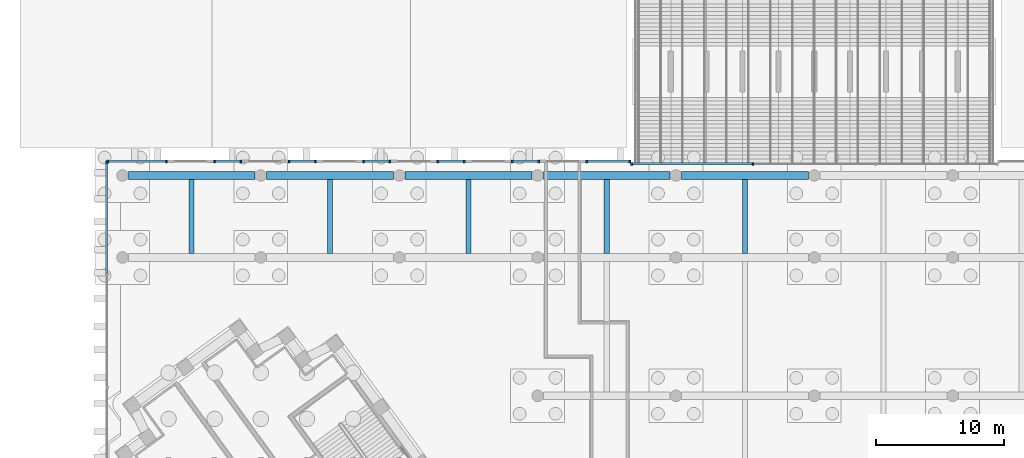
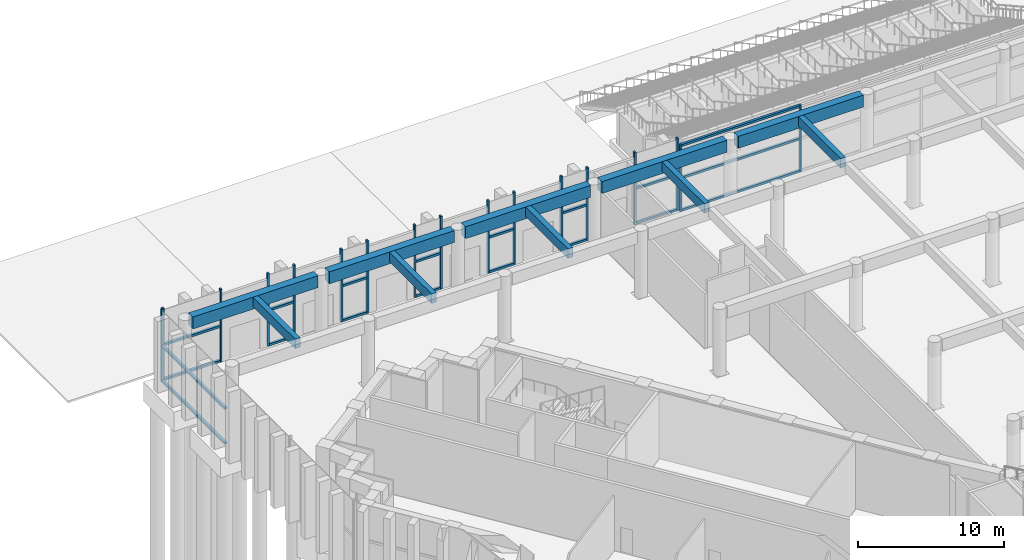
# One storey, part 10 of 32: 36 members, 10 beams, 9 elements without a shape of their own.
"""IFC4 building model written with IfcOpenShell, lengths in metres."""

from ifc_helpers import new_model, si_unit, direction, frame, origin, origin_2d, place, context, subcontext, project, spatial, rectangle, extrude, material, material_profile, profile_set, type_object, element, aggregate, save


model = new_model("IFC4")

# Units and contexts
model_context = context("Model", 3, precision=1e-05, world=origin(), true_north=direction((0.0, 1.0)))
body_context = subcontext(model_context, "Body", "Model", "MODEL_VIEW")
ifc_project = project(units=[si_unit("LENGTHUNIT", "METRE"), si_unit("AREAUNIT", "SQUARE_METRE"), si_unit("VOLUMEUNIT", "CUBIC_METRE"), si_unit("PLANEANGLEUNIT", "RADIAN"), si_unit("MASSUNIT", "GRAM", prefix="KILO")], contexts=[model_context])

# Site, building, storey
site_placement = place(None, origin())
site = spatial("IfcSite", under=ifc_project, at=site_placement, CompositionType="ELEMENT")
building_placement = place(site_placement, origin())
building = spatial("IfcBuilding", under=site, at=building_placement, Name="Quipu Civic Tower", CompositionType="ELEMENT")
storey_placement = place(building_placement, origin())
storey = spatial("IfcBuildingStorey", under=building, at=storey_placement, Name="L00", CompositionType="ELEMENT", Elevation=0.0)

# Beams
ifc_material_1 = material(Name="Concrete C50/60", Category="concrete")
ifc_material_profile_1 = material_profile(ifc_material_1, rectangle(XDim=0.39990234375, YDim=0.800048828125, at=origin_2d()), Name="RC400x800")
ifc_profile_set_1 = profile_set([ifc_material_profile_1], Name="Concrete C50/60")
beam_type_1 = type_object("IfcBeamType", Name="Deck beam RC 400x800 C50/60", PredefinedType="BEAM", material=ifc_profile_set_1)
for number, where, z_axis, x_axis, name in (
    (1, (-48.60009765625, 48.89990234375, 5.199951171875), (0.0, 1.0, 0.0), (-1.0, 0.0, 0.0), "Deck beam -9 49"),
    (2, (-37.800048828125, 48.89990234375, 5.199951171875), (0.0, 1.0, 0.0), (-1.0, 0.0, 0.0), "Deck beam -7 49"),
    (3, (-27.0, 48.89990234375, 5.199951171875), (0.0, 1.0, 0.0), (-1.0, 0.0, 0.0), "Deck beam -5 49"),
    (4, (-16.199951171875, 48.89990234375, 5.199951171875), (0.0, 1.0, 0.0), (-1.0, 0.0, 0.0), "Deck beam -3 49"),
    (5, (-5.39990234375, 48.89990234375, 5.199951171875), (0.0, 1.0, 0.0), (-1.0, 0.0, 0.0), "Deck beam -1 49"),
):
    element("IfcBeam", number, at=place(storey_placement, frame(where, z_axis=z_axis, x_axis=x_axis)), inside=storey, type_object=beam_type_1, Name=name, PredefinedType="BEAM", context=body_context, shape_type="SweptSolid", body=[
        extrude(rectangle(XDim=0.39990234375, YDim=0.800048828125, at=origin_2d()), origin(), (0.0, 0.0, 1.0), 5.800048828125),
    ])
ifc_material_2 = material(Name="Concrete C50/60", Category="concrete")
ifc_material_profile_2 = material_profile(ifc_material_2, rectangle(XDim=0.60009765625, YDim=1.0, at=origin_2d()), Name="RC600x1000")
ifc_profile_set_2 = profile_set([ifc_material_profile_2], Name="Concrete C50/60")
beam_type_2 = type_object("IfcBeamType", Name="Deck girder RC 600x1000 C50/60", PredefinedType="BEAM", material=ifc_profile_set_2)
beam_1_placement = place(storey_placement, frame((-53.550048828125, 55.0, 5.10009765625), z_axis=(1.0, 0.0, 0.0), x_axis=(0.0, 1.0, 0.0)))
element("IfcBeam", 6, at=beam_1_placement, inside=storey, type_object=beam_type_2, Name="Deck girder -10 55", PredefinedType="BEAM", context=body_context, shape_type="SweptSolid", body=[
    extrude(rectangle(XDim=0.60009765625, YDim=1.0, at=origin_2d()), origin(), (0.0, 0.0, 1.0), 9.900146484375),
])
for number, where, z_axis, x_axis, name in (
    (7, (-42.75, 55.0, 5.10009765625), (1.0, 0.0, 0.0), (0.0, 1.0, 0.0), "Deck girder -8 55"),
    (8, (-31.949951171875, 55.0, 5.10009765625), (1.0, 0.0, 0.0), (0.0, 1.0, 0.0), "Deck girder -6 55"),
    (9, (-21.14990234375, 55.0, 5.10009765625), (1.0, 0.0, 0.0), (0.0, 1.0, 0.0), "Deck girder -4 55"),
):
    element("IfcBeam", number, at=place(storey_placement, frame(where, z_axis=z_axis, x_axis=x_axis)), inside=storey, type_object=beam_type_2, Name=name, PredefinedType="BEAM", context=body_context, shape_type="SweptSolid", body=[
        extrude(rectangle(XDim=0.60009765625, YDim=1.0, at=origin_2d()), origin(), (0.0, 0.0, 1.0), 9.89990234375),
    ])
beam_2_placement = place(storey_placement, frame((-10.35009765625, 55.0, 5.10009765625), z_axis=(1.0, 0.0, 0.0), x_axis=(0.0, 1.0, 0.0)))
element("IfcBeam", 10, at=beam_2_placement, inside=storey, type_object=beam_type_2, Name="Deck girder -2 55", PredefinedType="BEAM", context=body_context, shape_type="SweptSolid", body=[
    extrude(rectangle(XDim=0.60009765625, YDim=1.0, at=origin_2d()), origin(), (0.0, 0.0, 1.0), 9.900146484375),
])

# Curtain wall, members
ifc_material_3 = material(Name="Insulated glass unit", Category="glass")
curtain_wall_type = type_object("IfcCurtainWallType", Name="Hall glazing CW2", PredefinedType="NOTDEFINED", material=ifc_material_3)
curtain_wall_1_placement = place(storey_placement, origin())
curtain_wall_1 = element("IfcCurtainWall", 11, at=curtain_wall_1_placement, inside=storey, type_object=curtain_wall_type, Name="Hall glazing CW2 L00 run 18", PredefinedType="NOTDEFINED")
ifc_material_4 = material(Name="Anodised aluminium", Category="aluminium")
ifc_material_profile_3 = material_profile(ifc_material_4, rectangle(XDim=0.199951171875, YDim=0.139892578125, at=origin_2d()), Name="RECT 200x140")
ifc_profile_set_3 = profile_set([ifc_material_profile_3], Name="Anodised aluminium")
member_type_1 = type_object("IfcMemberType", Name="Mullion CW2", PredefinedType="MULLION", material=ifc_profile_set_3)
member_1_placement = place(storey_placement, frame((-4.775390625, 55.89990234375, 0.0), z_axis=(0.0, 0.0, 1.0), x_axis=(0.0, -1.0, 0.0)))
member_1 = element("IfcMember", 12, at=member_1_placement, type_object=member_type_1, Name="CW2 mullion 3", PredefinedType="MULLION", context=body_context, shape_type="SweptSolid", body=[
    extrude(rectangle(XDim=0.199951171875, YDim=0.139892578125, at=origin_2d()), origin(), (0.0, 0.0, 1.0), 5.60009765625),
])
member_2_placement = place(storey_placement, frame((-14.255859375, 55.89990234375, 0.0), z_axis=(0.0, 0.0, 1.0), x_axis=(0.0, -1.0, 0.0)))
member_2 = element("IfcMember", 13, at=member_2_placement, type_object=member_type_1, Name="CW2 mullion 4", PredefinedType="MULLION", context=body_context, shape_type="SweptSolid", body=[
    extrude(rectangle(XDim=0.199951171875, YDim=0.139892578125, at=origin_2d()), origin(), (0.0, 0.0, 1.0), 5.60009765625),
])

curtain_wall_2_placement = place(storey_placement, origin())
curtain_wall_2 = element("IfcCurtainWall", 14, at=curtain_wall_2_placement, inside=storey, type_object=curtain_wall_type, Name="Hall glazing CW2 L00 run 19", PredefinedType="NOTDEFINED")
member_3_placement = place(storey_placement, frame((-14.39599609375, 56.10009765625, 0.0), z_axis=(0.0, 0.0, 1.0), x_axis=(0.0, -1.0, 0.0)))
member_3 = element("IfcMember", 15, at=member_3_placement, type_object=member_type_1, Name="CW2 mullion 1", PredefinedType="MULLION", context=body_context, shape_type="SweptSolid", body=[
    extrude(rectangle(XDim=0.199951171875, YDim=0.139892578125, at=origin_2d()), origin(), (0.0, 0.0, 1.0), 6.090087890625),
])
member_4_placement = place(storey_placement, frame((-17.76220703125, 56.10009765625, 0.0), z_axis=(0.0, 0.0, 1.0), x_axis=(0.0, -1.0, 0.0)))
member_4 = element("IfcMember", 16, at=member_4_placement, type_object=member_type_1, Name="CW2 mullion 2", PredefinedType="MULLION", context=body_context, shape_type="SweptSolid", body=[
    extrude(rectangle(XDim=0.199951171875, YDim=0.139892578125, at=origin_2d()), origin(), (0.0, 0.0, 1.0), 6.090087890625),
])

curtain_wall_3_placement = place(storey_placement, origin())
curtain_wall_3 = element("IfcCurtainWall", 17, at=curtain_wall_3_placement, inside=storey, type_object=curtain_wall_type, Name="Hall glazing CW2 L00 run 21", PredefinedType="NOTDEFINED")
member_5_placement = place(storey_placement, frame((-21.5087890625, 56.10009765625, 0.0), z_axis=(0.0, 0.0, 1.0), x_axis=(0.0, -1.0, 0.0)))
member_5 = element("IfcMember", 18, at=member_5_placement, type_object=member_type_1, Name="CW2 mullion 1", PredefinedType="MULLION", context=body_context, shape_type="SweptSolid", body=[
    extrude(rectangle(XDim=0.199951171875, YDim=0.139892578125, at=origin_2d()), origin(), (0.0, 0.0, 1.0), 6.090087890625),
])
member_6_placement = place(storey_placement, frame((-23.57275390625, 56.10009765625, 0.0), z_axis=(0.0, 0.0, 1.0), x_axis=(0.0, -1.0, 0.0)))
member_6 = element("IfcMember", 19, at=member_6_placement, type_object=member_type_1, Name="CW2 mullion 2", PredefinedType="MULLION", context=body_context, shape_type="SweptSolid", body=[
    extrude(rectangle(XDim=0.199951171875, YDim=0.139892578125, at=origin_2d()), origin(), (0.0, 0.0, 1.0), 6.090087890625),
])

curtain_wall_4_placement = place(storey_placement, origin())
curtain_wall_4 = element("IfcCurtainWall", 20, at=curtain_wall_4_placement, inside=storey, type_object=curtain_wall_type, Name="Hall glazing CW2 L00 run 23", PredefinedType="NOTDEFINED")
member_7_placement = place(storey_placement, frame((-27.3193359375, 56.10009765625, 0.0), z_axis=(0.0, 0.0, 1.0), x_axis=(0.0, -1.0, 0.0)))
member_7 = element("IfcMember", 21, at=member_7_placement, type_object=member_type_1, Name="CW2 mullion 1", PredefinedType="MULLION", context=body_context, shape_type="SweptSolid", body=[
    extrude(rectangle(XDim=0.199951171875, YDim=0.139892578125, at=origin_2d()), origin(), (0.0, 0.0, 1.0), 6.090087890625),
])
member_8_placement = place(storey_placement, frame((-29.38330078125, 56.10009765625, 0.0), z_axis=(0.0, 0.0, 1.0), x_axis=(0.0, -1.0, 0.0)))
member_8 = element("IfcMember", 22, at=member_8_placement, type_object=member_type_1, Name="CW2 mullion 2", PredefinedType="MULLION", context=body_context, shape_type="SweptSolid", body=[
    extrude(rectangle(XDim=0.199951171875, YDim=0.139892578125, at=origin_2d()), origin(), (0.0, 0.0, 1.0), 6.090087890625),
])

curtain_wall_5_placement = place(storey_placement, origin())
curtain_wall_5 = element("IfcCurtainWall", 23, at=curtain_wall_5_placement, inside=storey, type_object=curtain_wall_type, Name="Hall glazing CW2 L00 run 25", PredefinedType="NOTDEFINED")
member_9_placement = place(storey_placement, frame((-33.1298828125, 56.10009765625, 0.0), z_axis=(0.0, 0.0, 1.0), x_axis=(0.0, -1.0, 0.0)))
member_9 = element("IfcMember", 24, at=member_9_placement, type_object=member_type_1, Name="CW2 mullion 1", PredefinedType="MULLION", context=body_context, shape_type="SweptSolid", body=[
    extrude(rectangle(XDim=0.199951171875, YDim=0.139892578125, at=origin_2d()), origin(), (0.0, 0.0, 1.0), 6.090087890625),
])
member_10_placement = place(storey_placement, frame((-35.19384765625, 56.10009765625, 0.0), z_axis=(0.0, 0.0, 1.0), x_axis=(0.0, -1.0, 0.0)))
member_10 = element("IfcMember", 25, at=member_10_placement, type_object=member_type_1, Name="CW2 mullion 2", PredefinedType="MULLION", context=body_context, shape_type="SweptSolid", body=[
    extrude(rectangle(XDim=0.199951171875, YDim=0.139892578125, at=origin_2d()), origin(), (0.0, 0.0, 1.0), 6.090087890625),
])

curtain_wall_6_placement = place(storey_placement, origin())
curtain_wall_6 = element("IfcCurtainWall", 26, at=curtain_wall_6_placement, inside=storey, type_object=curtain_wall_type, Name="Hall glazing CW2 L00 run 27", PredefinedType="NOTDEFINED")
member_11_placement = place(storey_placement, frame((-38.9404296875, 56.10009765625, 0.0), z_axis=(0.0, 0.0, 1.0), x_axis=(0.0, -1.0, 0.0)))
member_11 = element("IfcMember", 27, at=member_11_placement, type_object=member_type_1, Name="CW2 mullion 1", PredefinedType="MULLION", context=body_context, shape_type="SweptSolid", body=[
    extrude(rectangle(XDim=0.199951171875, YDim=0.139892578125, at=origin_2d()), origin(), (0.0, 0.0, 1.0), 6.090087890625),
])
member_12_placement = place(storey_placement, frame((-41.00439453125, 56.10009765625, 0.0), z_axis=(0.0, 0.0, 1.0), x_axis=(0.0, -1.0, 0.0)))
member_12 = element("IfcMember", 28, at=member_12_placement, type_object=member_type_1, Name="CW2 mullion 2", PredefinedType="MULLION", context=body_context, shape_type="SweptSolid", body=[
    extrude(rectangle(XDim=0.199951171875, YDim=0.139892578125, at=origin_2d()), origin(), (0.0, 0.0, 1.0), 6.090087890625),
])

curtain_wall_7_placement = place(storey_placement, origin())
curtain_wall_7 = element("IfcCurtainWall", 29, at=curtain_wall_7_placement, inside=storey, type_object=curtain_wall_type, Name="Hall glazing CW2 L00 run 29", PredefinedType="NOTDEFINED")
member_13_placement = place(storey_placement, frame((-44.7509765625, 56.10009765625, 0.0), z_axis=(0.0, 0.0, 1.0), x_axis=(0.0, -1.0, 0.0)))
member_13 = element("IfcMember", 30, at=member_13_placement, type_object=member_type_1, Name="CW2 mullion 1", PredefinedType="MULLION", context=body_context, shape_type="SweptSolid", body=[
    extrude(rectangle(XDim=0.199951171875, YDim=0.139892578125, at=origin_2d()), origin(), (0.0, 0.0, 1.0), 6.090087890625),
])
member_14_placement = place(storey_placement, frame((-46.81494140625, 56.10009765625, 0.0), z_axis=(0.0, 0.0, 1.0), x_axis=(0.0, -1.0, 0.0)))
member_14 = element("IfcMember", 31, at=member_14_placement, type_object=member_type_1, Name="CW2 mullion 2", PredefinedType="MULLION", context=body_context, shape_type="SweptSolid", body=[
    extrude(rectangle(XDim=0.199951171875, YDim=0.139892578125, at=origin_2d()), origin(), (0.0, 0.0, 1.0), 6.090087890625),
])

curtain_wall_8_placement = place(storey_placement, origin())
curtain_wall_8 = element("IfcCurtainWall", 32, at=curtain_wall_8_placement, inside=storey, type_object=curtain_wall_type, Name="Hall glazing CW2 L00 run 31", PredefinedType="NOTDEFINED")
member_15_placement = place(storey_placement, frame((-50.561279296875, 56.10009765625, 0.0), z_axis=(0.0, 0.0, 1.0), x_axis=(0.0, -1.0, 0.0)))
member_15 = element("IfcMember", 33, at=member_15_placement, type_object=member_type_1, Name="CW2 mullion 1", PredefinedType="MULLION", context=body_context, shape_type="SweptSolid", body=[
    extrude(rectangle(XDim=0.199951171875, YDim=0.139892578125, at=origin_2d()), origin(), (0.0, 0.0, 1.0), 6.090087890625),
])
member_16_placement = place(storey_placement, frame((-55.144287109375, 56.10009765625, 0.0), z_axis=(0.0, 0.0, 1.0), x_axis=(0.0, -1.0, 0.0)))
member_16 = element("IfcMember", 34, at=member_16_placement, type_object=member_type_1, Name="CW2 mullion 2", PredefinedType="MULLION", context=body_context, shape_type="SweptSolid", body=[
    extrude(rectangle(XDim=0.199951171875, YDim=0.139892578125, at=origin_2d()), origin(), (0.0, 0.0, 1.0), 6.090087890625),
])

# Curtain wall, member
curtain_wall_9_placement = place(storey_placement, origin())
curtain_wall_9 = element("IfcCurtainWall", 35, at=curtain_wall_9_placement, inside=storey, type_object=curtain_wall_type, Name="Hall glazing CW2 L00 run 32", PredefinedType="NOTDEFINED")
member_17_placement = place(storey_placement, frame((-55.21435546875, 56.030029296875, 0.0), z_axis=(0.0, 0.0, 1.0), x_axis=(1.0, 0.0, 0.0)))
member_17 = element("IfcMember", 36, at=member_17_placement, type_object=member_type_1, Name="CW2 mullion 1", PredefinedType="MULLION", context=body_context, shape_type="SweptSolid", body=[
    extrude(rectangle(XDim=0.199951171875, YDim=0.139892578125, at=origin_2d()), origin(), (0.0, 0.0, 1.0), 6.090087890625),
])

# Member
ifc_material_5 = material(Name="Anodised aluminium", Category="aluminium")
ifc_material_profile_4 = material_profile(ifc_material_5, rectangle(XDim=0.199951171875, YDim=0.179931640625, at=origin_2d()), Name="RECT 200x180")
ifc_profile_set_4 = profile_set([ifc_material_profile_4], Name="Anodised aluminium")
member_type_2 = type_object("IfcMemberType", Name="Transom CW2", PredefinedType="USERDEFINED", material=ifc_profile_set_4)
member_18_placement = place(storey_placement, frame((-4.84521484375, 55.89990234375, 0.090087890625), z_axis=(-1.0, 0.0, 0.0), x_axis=(0.0, -1.0, 0.0)))
member_18 = element("IfcMember", 37, at=member_18_placement, type_object=member_type_2, Name="CW2 transom 3.1", ObjectType="TRANSOM", PredefinedType="USERDEFINED", context=body_context, shape_type="SweptSolid", body=[
    extrude(rectangle(XDim=0.199951171875, YDim=0.179931640625, at=origin_2d()), origin(), (0.0, 0.0, 1.0), 9.340576171875),
])

member_19_placement = place(storey_placement, frame((-4.84521484375, 55.89990234375, 2.800048828125), z_axis=(-1.0, 0.0, 0.0), x_axis=(0.0, -1.0, 0.0)))
member_19 = element("IfcMember", 38, at=member_19_placement, type_object=member_type_2, Name="CW2 transom 3.2", ObjectType="TRANSOM", PredefinedType="USERDEFINED", context=body_context, shape_type="SweptSolid", body=[
    extrude(rectangle(XDim=0.199951171875, YDim=0.179931640625, at=origin_2d()), origin(), (0.0, 0.0, 1.0), 9.340576171875),
])

member_20_placement = place(storey_placement, frame((-4.84521484375, 55.89990234375, 5.510009765625), z_axis=(-1.0, 0.0, 0.0), x_axis=(0.0, -1.0, 0.0)))
member_20 = element("IfcMember", 39, at=member_20_placement, type_object=member_type_2, Name="CW2 transom 3.3", ObjectType="TRANSOM", PredefinedType="USERDEFINED", context=body_context, shape_type="SweptSolid", body=[
    extrude(rectangle(XDim=0.199951171875, YDim=0.179931640625, at=origin_2d()), origin(), (0.0, 0.0, 1.0), 9.340576171875),
])

aggregate(curtain_wall_1, [member_1, member_2, member_18, member_19, member_20])

member_21_placement = place(storey_placement, frame((-14.4658203125, 56.10009765625, 0.090087890625), z_axis=(-1.0, 0.0, 0.0), x_axis=(0.0, -1.0, 0.0)))
member_21 = element("IfcMember", 40, at=member_21_placement, type_object=member_type_2, Name="CW2 transom 1.1", ObjectType="TRANSOM", PredefinedType="USERDEFINED", context=body_context, shape_type="SweptSolid", body=[
    extrude(rectangle(XDim=0.199951171875, YDim=0.179931640625, at=origin_2d()), origin(), (0.0, 0.0, 1.0), 3.2265625),
])

member_22_placement = place(storey_placement, frame((-14.4658203125, 56.10009765625, 3.0), z_axis=(-1.0, 0.0, 0.0), x_axis=(0.0, -1.0, 0.0)))
member_22 = element("IfcMember", 41, at=member_22_placement, type_object=member_type_2, Name="CW2 transom 1.2", ObjectType="TRANSOM", PredefinedType="USERDEFINED", context=body_context, shape_type="SweptSolid", body=[
    extrude(rectangle(XDim=0.199951171875, YDim=0.179931640625, at=origin_2d()), origin(), (0.0, 0.0, 1.0), 3.2265625),
])

aggregate(curtain_wall_2, [member_3, member_4, member_21, member_22])

member_23_placement = place(storey_placement, frame((-21.578857421875, 56.10009765625, 0.090087890625), z_axis=(-1.0, 0.0, 0.0), x_axis=(0.0, -1.0, 0.0)))
member_23 = element("IfcMember", 42, at=member_23_placement, type_object=member_type_2, Name="CW2 transom 1.1", ObjectType="TRANSOM", PredefinedType="USERDEFINED", context=body_context, shape_type="SweptSolid", body=[
    extrude(rectangle(XDim=0.199951171875, YDim=0.179931640625, at=origin_2d()), origin(), (0.0, 0.0, 1.0), 1.923828125),
])

member_24_placement = place(storey_placement, frame((-21.578857421875, 56.10009765625, 3.0), z_axis=(-1.0, 0.0, 0.0), x_axis=(0.0, -1.0, 0.0)))
member_24 = element("IfcMember", 43, at=member_24_placement, type_object=member_type_2, Name="CW2 transom 1.2", ObjectType="TRANSOM", PredefinedType="USERDEFINED", context=body_context, shape_type="SweptSolid", body=[
    extrude(rectangle(XDim=0.199951171875, YDim=0.179931640625, at=origin_2d()), origin(), (0.0, 0.0, 1.0), 1.923828125),
])

aggregate(curtain_wall_3, [member_5, member_6, member_23, member_24])

member_25_placement = place(storey_placement, frame((-27.389404296875, 56.10009765625, 0.090087890625), z_axis=(-1.0, 0.0, 0.0), x_axis=(0.0, -1.0, 0.0)))
member_25 = element("IfcMember", 44, at=member_25_placement, type_object=member_type_2, Name="CW2 transom 1.1", ObjectType="TRANSOM", PredefinedType="USERDEFINED", context=body_context, shape_type="SweptSolid", body=[
    extrude(rectangle(XDim=0.199951171875, YDim=0.179931640625, at=origin_2d()), origin(), (0.0, 0.0, 1.0), 1.923828125),
])

member_26_placement = place(storey_placement, frame((-27.389404296875, 56.10009765625, 3.0), z_axis=(-1.0, 0.0, 0.0), x_axis=(0.0, -1.0, 0.0)))
member_26 = element("IfcMember", 45, at=member_26_placement, type_object=member_type_2, Name="CW2 transom 1.2", ObjectType="TRANSOM", PredefinedType="USERDEFINED", context=body_context, shape_type="SweptSolid", body=[
    extrude(rectangle(XDim=0.199951171875, YDim=0.179931640625, at=origin_2d()), origin(), (0.0, 0.0, 1.0), 1.923828125),
])

aggregate(curtain_wall_4, [member_7, member_8, member_25, member_26])

member_27_placement = place(storey_placement, frame((-33.199951171875, 56.10009765625, 0.090087890625), z_axis=(-1.0, 0.0, 0.0), x_axis=(0.0, -1.0, 0.0)))
member_27 = element("IfcMember", 46, at=member_27_placement, type_object=member_type_2, Name="CW2 transom 1.1", ObjectType="TRANSOM", PredefinedType="USERDEFINED", context=body_context, shape_type="SweptSolid", body=[
    extrude(rectangle(XDim=0.199951171875, YDim=0.179931640625, at=origin_2d()), origin(), (0.0, 0.0, 1.0), 1.923828125),
])

member_28_placement = place(storey_placement, frame((-33.199951171875, 56.10009765625, 3.0), z_axis=(-1.0, 0.0, 0.0), x_axis=(0.0, -1.0, 0.0)))
member_28 = element("IfcMember", 47, at=member_28_placement, type_object=member_type_2, Name="CW2 transom 1.2", ObjectType="TRANSOM", PredefinedType="USERDEFINED", context=body_context, shape_type="SweptSolid", body=[
    extrude(rectangle(XDim=0.199951171875, YDim=0.179931640625, at=origin_2d()), origin(), (0.0, 0.0, 1.0), 1.923828125),
])

aggregate(curtain_wall_5, [member_9, member_10, member_27, member_28])

member_29_placement = place(storey_placement, frame((-39.010498046875, 56.10009765625, 0.090087890625), z_axis=(-1.0, 0.0, 0.0), x_axis=(0.0, -1.0, 0.0)))
member_29 = element("IfcMember", 48, at=member_29_placement, type_object=member_type_2, Name="CW2 transom 1.1", ObjectType="TRANSOM", PredefinedType="USERDEFINED", context=body_context, shape_type="SweptSolid", body=[
    extrude(rectangle(XDim=0.199951171875, YDim=0.179931640625, at=origin_2d()), origin(), (0.0, 0.0, 1.0), 1.923828125),
])

member_30_placement = place(storey_placement, frame((-39.010498046875, 56.10009765625, 3.0), z_axis=(-1.0, 0.0, 0.0), x_axis=(0.0, -1.0, 0.0)))
member_30 = element("IfcMember", 49, at=member_30_placement, type_object=member_type_2, Name="CW2 transom 1.2", ObjectType="TRANSOM", PredefinedType="USERDEFINED", context=body_context, shape_type="SweptSolid", body=[
    extrude(rectangle(XDim=0.199951171875, YDim=0.179931640625, at=origin_2d()), origin(), (0.0, 0.0, 1.0), 1.923828125),
])

aggregate(curtain_wall_6, [member_11, member_12, member_29, member_30])

member_31_placement = place(storey_placement, frame((-44.82080078125, 56.10009765625, 0.090087890625), z_axis=(-1.0, 0.0, 0.0), x_axis=(0.0, -1.0, 0.0)))
member_31 = element("IfcMember", 50, at=member_31_placement, type_object=member_type_2, Name="CW2 transom 1.1", ObjectType="TRANSOM", PredefinedType="USERDEFINED", context=body_context, shape_type="SweptSolid", body=[
    extrude(rectangle(XDim=0.199951171875, YDim=0.179931640625, at=origin_2d()), origin(), (0.0, 0.0, 1.0), 1.924072265625),
])

member_32_placement = place(storey_placement, frame((-44.82080078125, 56.10009765625, 3.0), z_axis=(-1.0, 0.0, 0.0), x_axis=(0.0, -1.0, 0.0)))
member_32 = element("IfcMember", 51, at=member_32_placement, type_object=member_type_2, Name="CW2 transom 1.2", ObjectType="TRANSOM", PredefinedType="USERDEFINED", context=body_context, shape_type="SweptSolid", body=[
    extrude(rectangle(XDim=0.199951171875, YDim=0.179931640625, at=origin_2d()), origin(), (0.0, 0.0, 1.0), 1.924072265625),
])

aggregate(curtain_wall_7, [member_13, member_14, member_31, member_32])

member_33_placement = place(storey_placement, frame((-50.63134765625, 56.10009765625, 0.090087890625), z_axis=(-1.0, 0.0, 0.0), x_axis=(0.0, -1.0, 0.0)))
member_33 = element("IfcMember", 52, at=member_33_placement, type_object=member_type_2, Name="CW2 transom 1.1", ObjectType="TRANSOM", PredefinedType="USERDEFINED", context=body_context, shape_type="SweptSolid", body=[
    extrude(rectangle(XDim=0.199951171875, YDim=0.179931640625, at=origin_2d()), origin(), (0.0, 0.0, 1.0), 4.443115234375),
])

member_34_placement = place(storey_placement, frame((-50.63134765625, 56.10009765625, 3.0), z_axis=(-1.0, 0.0, 0.0), x_axis=(0.0, -1.0, 0.0)))
member_34 = element("IfcMember", 53, at=member_34_placement, type_object=member_type_2, Name="CW2 transom 1.2", ObjectType="TRANSOM", PredefinedType="USERDEFINED", context=body_context, shape_type="SweptSolid", body=[
    extrude(rectangle(XDim=0.199951171875, YDim=0.179931640625, at=origin_2d()), origin(), (0.0, 0.0, 1.0), 4.443115234375),
])

aggregate(curtain_wall_8, [member_15, member_16, member_33, member_34])

member_35_placement = place(storey_placement, frame((-55.21435546875, 55.9599609375, 0.090087890625), z_axis=(0.0, -1.0, 0.0), x_axis=(1.0, 0.0, 0.0)))
member_35 = element("IfcMember", 54, at=member_35_placement, type_object=member_type_2, Name="CW2 transom 1.1", ObjectType="TRANSOM", PredefinedType="USERDEFINED", context=body_context, shape_type="SweptSolid", body=[
    extrude(rectangle(XDim=0.199951171875, YDim=0.179931640625, at=origin_2d()), origin(), (0.0, 0.0, 1.0), 8.609130859375),
])

member_36_placement = place(storey_placement, frame((-55.21435546875, 55.9599609375, 3.0), z_axis=(0.0, -1.0, 0.0), x_axis=(1.0, 0.0, 0.0)))
member_36 = element("IfcMember", 55, at=member_36_placement, type_object=member_type_2, Name="CW2 transom 1.2", ObjectType="TRANSOM", PredefinedType="USERDEFINED", context=body_context, shape_type="SweptSolid", body=[
    extrude(rectangle(XDim=0.199951171875, YDim=0.179931640625, at=origin_2d()), origin(), (0.0, 0.0, 1.0), 8.609130859375),
])

aggregate(curtain_wall_9, [member_17, member_35, member_36])

save(model, "model.ifc")
